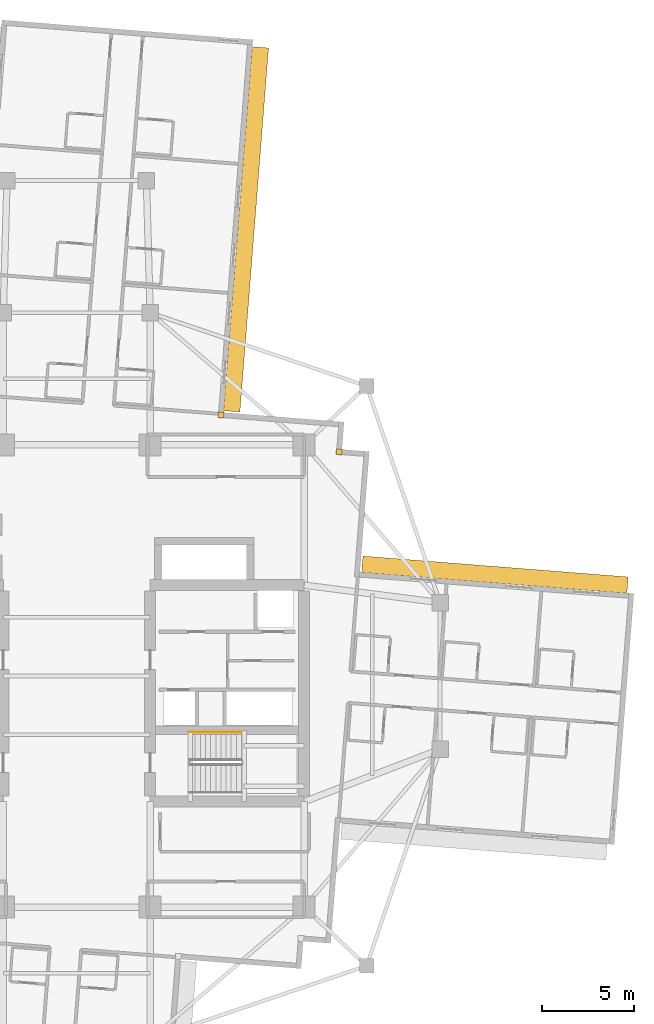
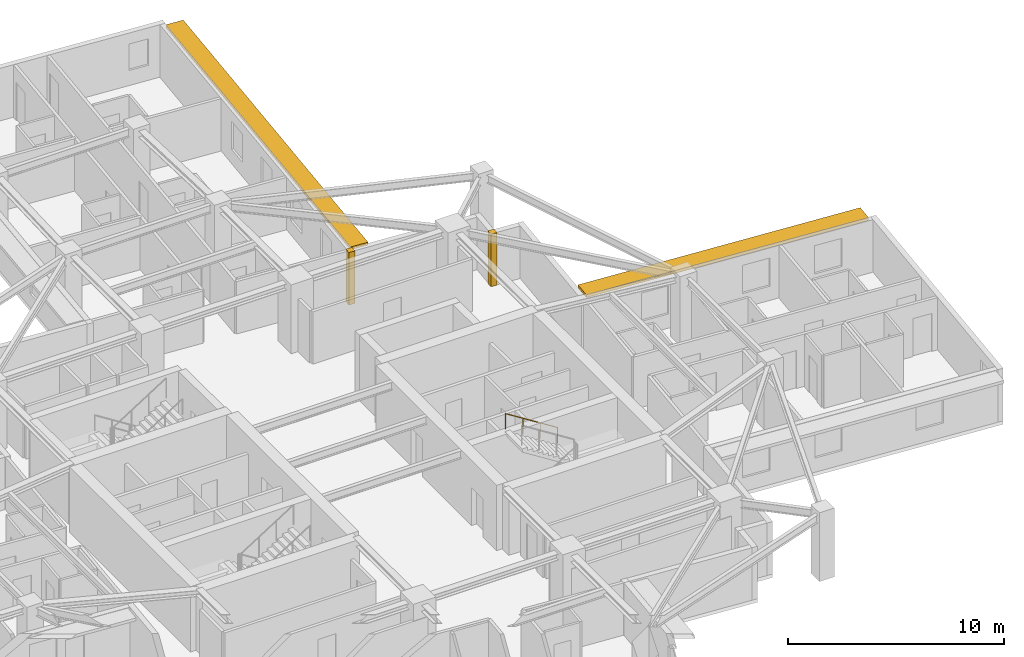
# One storey, part 14 of 14: 2 coverings, 2 shading devices, 1 railing.
"""IFC4 building model written with IfcOpenShell, lengths in metres."""

from ifc_helpers import new_model, si_unit, direction, frame, origin, origin_2d, place, context, subcontext, project, spatial, rectangle, circle, extrude, material, layer, layer_set, type_object, element, save


model = new_model("IFC4")

# Units and contexts
model_context = context("Model", 3, precision=1e-05, world=origin(), true_north=direction((0.0, 1.0)))
body_context = subcontext(model_context, "Body", "Model", "MODEL_VIEW")
ifc_project = project(units=[si_unit("LENGTHUNIT", "METRE"), si_unit("AREAUNIT", "SQUARE_METRE"), si_unit("VOLUMEUNIT", "CUBIC_METRE"), si_unit("PLANEANGLEUNIT", "RADIAN"), si_unit("MASSUNIT", "GRAM", prefix="KILO")], contexts=[model_context])

# Site, building, storey
site_placement = place(None, origin())
site = spatial("IfcSite", under=ifc_project, at=site_placement, CompositionType="ELEMENT")
building_placement = place(site_placement, origin())
building = spatial("IfcBuilding", under=site, at=building_placement, Name="Qingluan Cross Belvedere", CompositionType="ELEMENT")
storey_placement = place(building_placement, frame((0.0, 0.0, 164.39990234375)))
storey = spatial("IfcBuildingStorey", under=building, at=storey_placement, Name="L41", CompositionType="ELEMENT", Elevation=164.39990234375)

# Coverings
ifc_material_1 = material(Name="Precast concrete C45", Category="concrete")
ifc_layer_1 = layer(ifc_material_1, 0.1201171875, Name="ConcreteSpandrelCladding_120")
ifc_layer_set_1 = layer_set([ifc_layer_1], Name="Precast concrete C45")
covering_type = type_object("IfcCoveringType", Name="ConcreteSpandrelCladding_120", PredefinedType="CLADDING", material=ifc_layer_set_1)
for number, where, z_axis, x_axis, name in (
    (1, (14.302490234375, 12.215576171875, 0.0), (0.0, 0.0, 1.0), (0.996917333733, -0.078459095728, 0.0), "Corner closure L41-NE1"),
    (2, (7.860595703125, 14.22705078125, 0.0), (0.0, 0.0, 1.0), (0.996917333733, -0.078459095728, 0.0), "Corner closure L41-NE2"),
):
    element("IfcCovering", number, at=place(storey_placement, frame(where, z_axis=z_axis, x_axis=x_axis)), inside=storey, type_object=covering_type, Name=name, PredefinedType="CLADDING", context=body_context, shape_type="SweptSolid", body=[
        extrude(rectangle(XDim=0.320068359375, YDim=0.320068359375, at=origin_2d()), origin(), (0.0, 0.0, 1.0), 2.969970703125),
    ])

# Shading devices
ifc_material_2 = material(Name="Precast concrete C45", Category="concrete")
ifc_layer_2 = layer(ifc_material_2, 0.159912109375, Name="ConcreteSunshadeBand_900")
ifc_layer_set_2 = layer_set([ifc_layer_2], Name="Precast concrete C45")
shading_device_type = type_object("IfcShadingDeviceType", Name="ConcreteSunshadeBand_900", PredefinedType="USERDEFINED", material=ifc_layer_set_2)
shading_device_1_placement = place(storey_placement, frame((22.793212890625, 5.518798828125, 2.7900390625), z_axis=(0.0, 0.0, 1.0), x_axis=(-0.996917599256, 0.078455721862, 0.0)))
element("IfcShadingDevice", 3, at=shading_device_1_placement, inside=storey, type_object=shading_device_type, Name="Concrete SUNSHADE L41-EB", ObjectType="SUNSHADE", PredefinedType="USERDEFINED", context=body_context, shape_type="SweptSolid", body=[
    extrude(rectangle(XDim=14.5, YDim=0.89990234375, at=origin_2d()), origin(), (0.0, 0.0, 1.0), 0.159912109375),
])
shading_device_2_placement = place(storey_placement, frame((9.228271484375, 24.341064453125, 2.7900390625), z_axis=(0.0, 0.0, 1.0), x_axis=(0.078457869429, 0.996917430244, 0.0)))
element("IfcShadingDevice", 4, at=shading_device_2_placement, inside=storey, type_object=shading_device_type, Name="Concrete SUNSHADE L41-NA", ObjectType="SUNSHADE", PredefinedType="USERDEFINED", context=body_context, shape_type="SweptSolid", body=[
    extrude(rectangle(XDim=19.89990234375, YDim=0.89990234375, at=origin_2d()), origin(), (0.0, 0.0, 1.0), 0.159912109375),
])

# Railing
ifc_material_3 = material(Name="Brushed stainless steel tubular handrail", Category="steel")
railing_type = type_object("IfcRailingType", Name="StairPitchHandrail_900", PredefinedType="HANDRAIL", material=ifc_material_3)
railing_placement = place(storey_placement, frame((8.97998046875, -3.050048828125, 2.12744140625)))
element("IfcRailing", 5, at=railing_placement, inside=storey, type_object=railing_type, Name="L41 ST2 stair handrail 2", PredefinedType="HANDRAIL", context=body_context, shape_type="SweptSolid", body=[
    extrude(circle(Radius=0.02392578125, at=origin_2d()), frame((0.0, 0.0, 0.8759765625), z_axis=(-0.844908973607, 0.0, 0.534910110503), x_axis=(0.0, -1.0, 0.0)), (0.0, 0.0, 1.0), 3.31396484375),
    extrude(circle(Radius=0.02099609375, at=origin_2d()), origin(), (0.0, 0.0, 1.0), 0.851806640625),
    extrude(circle(Radius=0.02099609375, at=origin_2d()), frame((-0.933349609375, 0.0, 0.5908203125)), (0.0, 0.0, 1.0), 0.851806640625),
    extrude(circle(Radius=0.02099609375, at=origin_2d()), frame((-1.86669921875, 0.0, 1.181884765625)), (0.0, 0.0, 1.0), 0.851806640625),
    extrude(circle(Radius=0.02099609375, at=origin_2d()), frame((-2.800048828125, 0.0, 1.772705078125)), (0.0, 0.0, 1.0), 0.851806640625),
])

save(model, "model.ifc")
